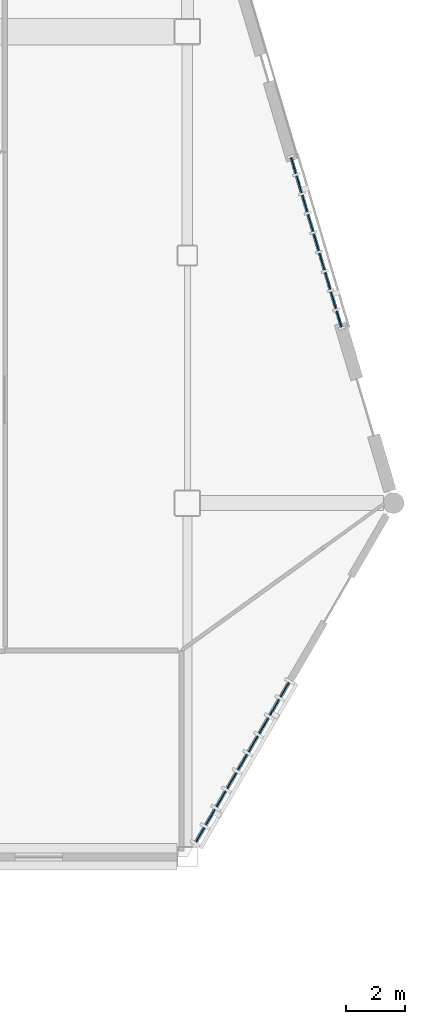
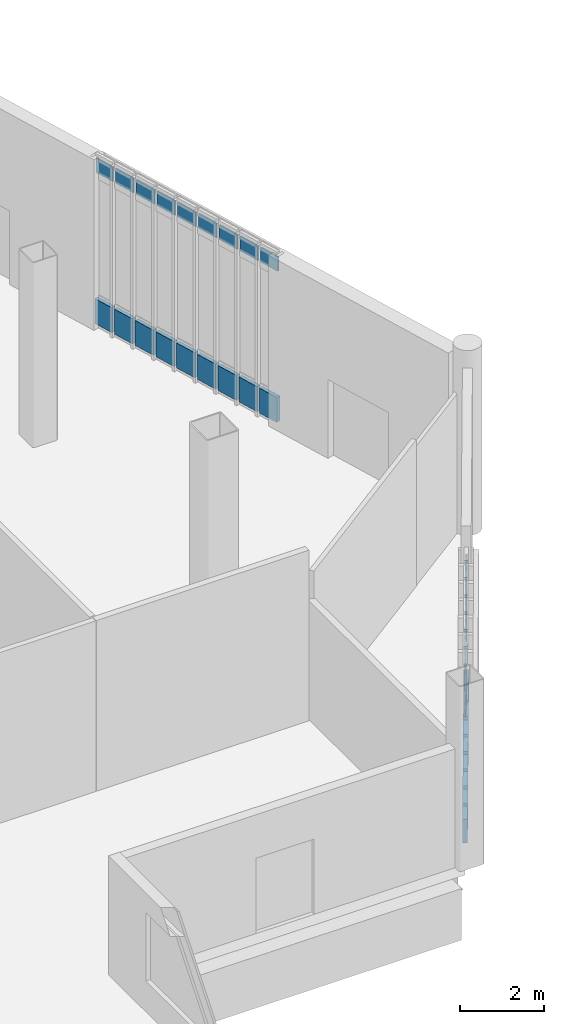
# One storey, part 83 of 111: 36 plates, 2 elements without a shape of their own.
"""IFC4 building model written with IfcOpenShell, lengths in metres."""

from ifc_helpers import new_model, si_unit, direction, frame, origin, origin_2d, place, context, subcontext, project, spatial, rectangle, extrude, material, layer, layer_set, type_object, element, aggregate, save


model = new_model("IFC4")

# Units and contexts
model_context = context("Model", 3, precision=1e-05, world=origin(), true_north=direction((0.0, 1.0)))
body_context = subcontext(model_context, "Body", "Model", "MODEL_VIEW")
ifc_project = project(units=[si_unit("LENGTHUNIT", "METRE"), si_unit("AREAUNIT", "SQUARE_METRE"), si_unit("VOLUMEUNIT", "CUBIC_METRE"), si_unit("PLANEANGLEUNIT", "RADIAN"), si_unit("MASSUNIT", "GRAM", prefix="KILO")], contexts=[model_context])

# Site, building, storey
site_placement = place(None, origin())
site = spatial("IfcSite", under=ifc_project, at=site_placement, CompositionType="ELEMENT")
building_placement = place(site_placement, origin())
building = spatial("IfcBuilding", under=site, at=building_placement, Name="Larkvane Passage Sports Hall", CompositionType="ELEMENT")
storey_placement = place(building_placement, origin())
storey = spatial("IfcBuildingStorey", under=building, at=storey_placement, Name="L00", CompositionType="ELEMENT", Elevation=0.0)

# Curtain wall, plates
ifc_material_1 = material(Name="Thermally broken aluminium and low-E glazing", Category="aluminium")
curtain_wall_type_1 = type_object("IfcCurtainWallType", Name="CW-STICK-FOYER", PredefinedType="USERDEFINED", material=ifc_material_1)
curtain_wall_1_placement = place(storey_placement, origin())
curtain_wall_1 = element("IfcCurtainWall", 1, at=curtain_wall_1_placement, inside=storey, type_object=curtain_wall_type_1, Name="Curtain wall CW5-L00-022", ObjectType="STICK CURTAIN WALL", PredefinedType="USERDEFINED")
ifc_material_2 = material(Name="Fire-stopped shadow-box spandrel panel")
ifc_layer_1 = layer(ifc_material_2, 0.10498046875)
ifc_layer_set_1 = layer_set([ifc_layer_1], Name="Fire-stopped shadow-box spandrel panel")
plate_type_1 = type_object("IfcPlateType", Name="CWP-SPD-105", PredefinedType="CURTAIN_PANEL", material=ifc_layer_set_1)
plate_1_placement = place(storey_placement, frame((149.202880859375, 87.052978515625, 0.080078125), z_axis=(0.0, 0.0, 1.0), x_axis=(0.284364947432, -0.958716108487, 0.0)))
plate_1 = element("IfcPlate", 2, at=plate_1_placement, type_object=plate_type_1, Name="CW-03 panel 1.1", PredefinedType="CURTAIN_PANEL", context=body_context, shape_type="SweptSolid", body=[
    extrude(rectangle(XDim=0.563720703125, YDim=0.10498046875, at=origin_2d()), origin(), (0.0, 0.0, 1.0), 0.72998046875),
])
plate_2_placement = place(storey_placement, frame((149.3916015625, 86.416748046875, 0.080078125), z_axis=(0.0, 0.0, 1.0), x_axis=(0.284364947432, -0.958716108487, 0.0)))
plate_2 = element("IfcPlate", 3, at=plate_2_placement, type_object=plate_type_1, Name="CW-03 panel 2.1", PredefinedType="CURTAIN_PANEL", context=body_context, shape_type="SweptSolid", body=[
    extrude(rectangle(XDim=0.603759765625, YDim=0.10498046875, at=origin_2d()), origin(), (0.0, 0.0, 1.0), 0.72998046875),
])
plate_3_placement = place(storey_placement, frame((149.586181640625, 85.76123046875, 0.080078125), z_axis=(0.0, 0.0, 1.0), x_axis=(0.284364947432, -0.958716108487, 0.0)))
plate_3 = element("IfcPlate", 4, at=plate_3_placement, type_object=plate_type_1, Name="CW-03 panel 3.1", PredefinedType="CURTAIN_PANEL", context=body_context, shape_type="SweptSolid", body=[
    extrude(rectangle(XDim=0.603759765625, YDim=0.10498046875, at=origin_2d()), origin(), (0.0, 0.0, 1.0), 0.72998046875),
])
plate_4_placement = place(storey_placement, frame((149.780517578125, 85.10546875, 0.080078125), z_axis=(0.0, 0.0, 1.0), x_axis=(0.284364947432, -0.958716108487, 0.0)))
plate_4 = element("IfcPlate", 5, at=plate_4_placement, type_object=plate_type_1, Name="CW-03 panel 4.1", PredefinedType="CURTAIN_PANEL", context=body_context, shape_type="SweptSolid", body=[
    extrude(rectangle(XDim=0.603759765625, YDim=0.10498046875, at=origin_2d()), origin(), (0.0, 0.0, 1.0), 0.72998046875),
])
plate_5_placement = place(storey_placement, frame((149.97509765625, 84.449951171875, 0.080078125), z_axis=(0.0, 0.0, 1.0), x_axis=(0.284364947432, -0.958716108487, 0.0)))
plate_5 = element("IfcPlate", 6, at=plate_5_placement, type_object=plate_type_1, Name="CW-03 panel 5.1", PredefinedType="CURTAIN_PANEL", context=body_context, shape_type="SweptSolid", body=[
    extrude(rectangle(XDim=0.603759765625, YDim=0.10498046875, at=origin_2d()), origin(), (0.0, 0.0, 1.0), 0.72998046875),
])
plate_6_placement = place(storey_placement, frame((150.16943359375, 83.79443359375, 0.080078125), z_axis=(0.0, 0.0, 1.0), x_axis=(0.284364947432, -0.958716108487, 0.0)))
plate_6 = element("IfcPlate", 7, at=plate_6_placement, type_object=plate_type_1, Name="CW-03 panel 6.1", PredefinedType="CURTAIN_PANEL", context=body_context, shape_type="SweptSolid", body=[
    extrude(rectangle(XDim=0.603759765625, YDim=0.10498046875, at=origin_2d()), origin(), (0.0, 0.0, 1.0), 0.72998046875),
])
plate_7_placement = place(storey_placement, frame((150.36376953125, 83.138916015625, 0.080078125), z_axis=(0.0, 0.0, 1.0), x_axis=(0.284364947432, -0.958716108487, 0.0)))
plate_7 = element("IfcPlate", 8, at=plate_7_placement, type_object=plate_type_1, Name="CW-03 panel 7.1", PredefinedType="CURTAIN_PANEL", context=body_context, shape_type="SweptSolid", body=[
    extrude(rectangle(XDim=0.603759765625, YDim=0.10498046875, at=origin_2d()), origin(), (0.0, 0.0, 1.0), 0.72998046875),
])
plate_8_placement = place(storey_placement, frame((150.558349609375, 82.4833984375, 0.080078125), z_axis=(0.0, 0.0, 1.0), x_axis=(0.284364947432, -0.958716108487, 0.0)))
plate_8 = element("IfcPlate", 9, at=plate_8_placement, type_object=plate_type_1, Name="CW-03 panel 8.1", PredefinedType="CURTAIN_PANEL", context=body_context, shape_type="SweptSolid", body=[
    extrude(rectangle(XDim=0.603759765625, YDim=0.10498046875, at=origin_2d()), origin(), (0.0, 0.0, 1.0), 0.72998046875),
])
plate_9_placement = place(storey_placement, frame((150.7470703125, 81.846923828125, 0.080078125), z_axis=(0.0, 0.0, 1.0), x_axis=(0.284364947432, -0.958716108487, 0.0)))
plate_9 = element("IfcPlate", 10, at=plate_9_placement, type_object=plate_type_1, Name="CW-03 panel 9.1", PredefinedType="CURTAIN_PANEL", context=body_context, shape_type="SweptSolid", body=[
    extrude(rectangle(XDim=0.563720703125, YDim=0.10498046875, at=origin_2d()), origin(), (0.0, 0.0, 1.0), 0.72998046875),
])

curtain_wall_type_2 = type_object("IfcCurtainWallType", Name="CW-CLINIC", PredefinedType="USERDEFINED", material=ifc_material_1)
curtain_wall_2_placement = place(storey_placement, origin())
curtain_wall_2 = element("IfcCurtainWall", 11, at=curtain_wall_2_placement, inside=storey, type_object=curtain_wall_type_2, Name="Curtain wall CW5-L00-023", ObjectType="UNITISED CURTAIN WALL", PredefinedType="USERDEFINED")
ifc_material_3 = material(Name="Deep insulated facade spandrel panel")
ifc_layer_2 = layer(ifc_material_3, 0.125)
ifc_layer_set_2 = layer_set([ifc_layer_2], Name="Deep insulated facade spandrel panel")
plate_type_2 = type_object("IfcPlateType", Name="CWP-SPD-125", PredefinedType="CURTAIN_PANEL", material=ifc_layer_set_2)
plate_10_placement = place(storey_placement, frame((148.905029296875, 69.265625, 0.10986328125), z_axis=(0.0, 0.0, 1.0), x_axis=(-0.503867182467, -0.86378114267, 0.0)))
plate_10 = element("IfcPlate", 12, at=plate_10_placement, type_object=plate_type_2, Name="CW-05 panel 1.1", PredefinedType="CURTAIN_PANEL", context=body_context, shape_type="SweptSolid", body=[
    extrude(rectangle(XDim=0.553955078125, YDim=0.125, at=origin_2d()), origin(), (0.0, 0.0, 1.0), 0.68505859375),
])
plate_11_placement = place(storey_placement, frame((148.556640625, 68.668212890625, 0.10986328125), z_axis=(0.0, 0.0, 1.0), x_axis=(-0.503867182467, -0.86378114267, 0.0)))
plate_11 = element("IfcPlate", 13, at=plate_11_placement, type_object=plate_type_2, Name="CW-05 panel 2.1", PredefinedType="CURTAIN_PANEL", context=body_context, shape_type="SweptSolid", body=[
    extrude(rectangle(XDim=0.609130859375, YDim=0.125, at=origin_2d()), origin(), (0.0, 0.0, 1.0), 0.68505859375),
])
plate_12_placement = place(storey_placement, frame((148.1943359375, 68.047119140625, 0.10986328125), z_axis=(0.0, 0.0, 1.0), x_axis=(-0.503867182467, -0.86378114267, 0.0)))
plate_12 = element("IfcPlate", 14, at=plate_12_placement, type_object=plate_type_2, Name="CW-05 panel 3.1", PredefinedType="CURTAIN_PANEL", context=body_context, shape_type="SweptSolid", body=[
    extrude(rectangle(XDim=0.609130859375, YDim=0.125, at=origin_2d()), origin(), (0.0, 0.0, 1.0), 0.68505859375),
])
plate_13_placement = place(storey_placement, frame((147.83203125, 67.426025390625, 0.10986328125), z_axis=(0.0, 0.0, 1.0), x_axis=(-0.503867182467, -0.86378114267, 0.0)))
plate_13 = element("IfcPlate", 15, at=plate_13_placement, type_object=plate_type_2, Name="CW-05 panel 4.1", PredefinedType="CURTAIN_PANEL", context=body_context, shape_type="SweptSolid", body=[
    extrude(rectangle(XDim=0.609130859375, YDim=0.125, at=origin_2d()), origin(), (0.0, 0.0, 1.0), 0.68505859375),
])
plate_14_placement = place(storey_placement, frame((147.469482421875, 66.804931640625, 0.10986328125), z_axis=(0.0, 0.0, 1.0), x_axis=(-0.503867182467, -0.86378114267, 0.0)))
plate_14 = element("IfcPlate", 16, at=plate_14_placement, type_object=plate_type_2, Name="CW-05 panel 5.1", PredefinedType="CURTAIN_PANEL", context=body_context, shape_type="SweptSolid", body=[
    extrude(rectangle(XDim=0.609130859375, YDim=0.125, at=origin_2d()), origin(), (0.0, 0.0, 1.0), 0.68505859375),
])
plate_15_placement = place(storey_placement, frame((147.107177734375, 66.183837890625, 0.10986328125), z_axis=(0.0, 0.0, 1.0), x_axis=(-0.503867182467, -0.86378114267, 0.0)))
plate_15 = element("IfcPlate", 17, at=plate_15_placement, type_object=plate_type_2, Name="CW-05 panel 6.1", PredefinedType="CURTAIN_PANEL", context=body_context, shape_type="SweptSolid", body=[
    extrude(rectangle(XDim=0.609130859375, YDim=0.125, at=origin_2d()), origin(), (0.0, 0.0, 1.0), 0.68505859375),
])
plate_16_placement = place(storey_placement, frame((146.744873046875, 65.562744140625, 0.10986328125), z_axis=(0.0, 0.0, 1.0), x_axis=(-0.503867182467, -0.86378114267, 0.0)))
plate_16 = element("IfcPlate", 18, at=plate_16_placement, type_object=plate_type_2, Name="CW-05 panel 7.1", PredefinedType="CURTAIN_PANEL", context=body_context, shape_type="SweptSolid", body=[
    extrude(rectangle(XDim=0.609130859375, YDim=0.125, at=origin_2d()), origin(), (0.0, 0.0, 1.0), 0.68505859375),
])
plate_17_placement = place(storey_placement, frame((146.382568359375, 64.941650390625, 0.10986328125), z_axis=(0.0, 0.0, 1.0), x_axis=(-0.503867182467, -0.86378114267, 0.0)))
plate_17 = element("IfcPlate", 19, at=plate_17_placement, type_object=plate_type_2, Name="CW-05 panel 8.1", PredefinedType="CURTAIN_PANEL", context=body_context, shape_type="SweptSolid", body=[
    extrude(rectangle(XDim=0.609130859375, YDim=0.125, at=origin_2d()), origin(), (0.0, 0.0, 1.0), 0.68505859375),
])
plate_18_placement = place(storey_placement, frame((146.0341796875, 64.34423828125, 0.10986328125), z_axis=(0.0, 0.0, 1.0), x_axis=(-0.503867182467, -0.86378114267, 0.0)))
plate_18 = element("IfcPlate", 20, at=plate_18_placement, type_object=plate_type_2, Name="CW-05 panel 9.1", PredefinedType="CURTAIN_PANEL", context=body_context, shape_type="SweptSolid", body=[
    extrude(rectangle(XDim=0.553955078125, YDim=0.125, at=origin_2d()), origin(), (0.0, 0.0, 1.0), 0.68505859375),
])

# Plate
ifc_material_4 = material(Name="High-impact court low-E glazing", Category="glass")
ifc_layer_3 = layer(ifc_material_4, 0.035888671875)
ifc_layer_set_3 = layer_set([ifc_layer_3], Name="High-impact court low-E glazing")
plate_type_3 = type_object("IfcPlateType", Name="CWP-VIS-36", PredefinedType="CURTAIN_PANEL", material=ifc_layer_set_3)
plate_19_placement = place(storey_placement, frame((149.202880859375, 87.052978515625, 4.47021484375), z_axis=(0.0, 0.0, 1.0), x_axis=(0.284364947432, -0.958716108487, 0.0)))
plate_19 = element("IfcPlate", 21, at=plate_19_placement, type_object=plate_type_3, Name="CW-03 panel 1.3", PredefinedType="CURTAIN_PANEL", context=body_context, shape_type="SweptSolid", body=[
    extrude(rectangle(XDim=0.563720703125, YDim=0.035888671875, at=origin_2d()), origin(), (0.0, 0.0, 1.0), 0.429931640625),
])

plate_20_placement = place(storey_placement, frame((149.3916015625, 86.416748046875, 4.47021484375), z_axis=(0.0, 0.0, 1.0), x_axis=(0.284364947432, -0.958716108487, 0.0)))
plate_20 = element("IfcPlate", 22, at=plate_20_placement, type_object=plate_type_3, Name="CW-03 panel 2.3", PredefinedType="CURTAIN_PANEL", context=body_context, shape_type="SweptSolid", body=[
    extrude(rectangle(XDim=0.603759765625, YDim=0.035888671875, at=origin_2d()), origin(), (0.0, 0.0, 1.0), 0.429931640625),
])

plate_21_placement = place(storey_placement, frame((149.586181640625, 85.76123046875, 4.47021484375), z_axis=(0.0, 0.0, 1.0), x_axis=(0.284364947432, -0.958716108487, 0.0)))
plate_21 = element("IfcPlate", 23, at=plate_21_placement, type_object=plate_type_3, Name="CW-03 panel 3.3", PredefinedType="CURTAIN_PANEL", context=body_context, shape_type="SweptSolid", body=[
    extrude(rectangle(XDim=0.603759765625, YDim=0.035888671875, at=origin_2d()), origin(), (0.0, 0.0, 1.0), 0.429931640625),
])

plate_22_placement = place(storey_placement, frame((149.780517578125, 85.10546875, 4.47021484375), z_axis=(0.0, 0.0, 1.0), x_axis=(0.284364947432, -0.958716108487, 0.0)))
plate_22 = element("IfcPlate", 24, at=plate_22_placement, type_object=plate_type_3, Name="CW-03 panel 4.3", PredefinedType="CURTAIN_PANEL", context=body_context, shape_type="SweptSolid", body=[
    extrude(rectangle(XDim=0.603759765625, YDim=0.035888671875, at=origin_2d()), origin(), (0.0, 0.0, 1.0), 0.429931640625),
])

plate_23_placement = place(storey_placement, frame((149.97509765625, 84.449951171875, 4.47021484375), z_axis=(0.0, 0.0, 1.0), x_axis=(0.284364947432, -0.958716108487, 0.0)))
plate_23 = element("IfcPlate", 25, at=plate_23_placement, type_object=plate_type_3, Name="CW-03 panel 5.3", PredefinedType="CURTAIN_PANEL", context=body_context, shape_type="SweptSolid", body=[
    extrude(rectangle(XDim=0.603759765625, YDim=0.035888671875, at=origin_2d()), origin(), (0.0, 0.0, 1.0), 0.429931640625),
])

plate_24_placement = place(storey_placement, frame((150.16943359375, 83.79443359375, 4.47021484375), z_axis=(0.0, 0.0, 1.0), x_axis=(0.284364947432, -0.958716108487, 0.0)))
plate_24 = element("IfcPlate", 26, at=plate_24_placement, type_object=plate_type_3, Name="CW-03 panel 6.3", PredefinedType="CURTAIN_PANEL", context=body_context, shape_type="SweptSolid", body=[
    extrude(rectangle(XDim=0.603759765625, YDim=0.035888671875, at=origin_2d()), origin(), (0.0, 0.0, 1.0), 0.429931640625),
])

plate_25_placement = place(storey_placement, frame((150.36376953125, 83.138916015625, 4.47021484375), z_axis=(0.0, 0.0, 1.0), x_axis=(0.284364947432, -0.958716108487, 0.0)))
plate_25 = element("IfcPlate", 27, at=plate_25_placement, type_object=plate_type_3, Name="CW-03 panel 7.3", PredefinedType="CURTAIN_PANEL", context=body_context, shape_type="SweptSolid", body=[
    extrude(rectangle(XDim=0.603759765625, YDim=0.035888671875, at=origin_2d()), origin(), (0.0, 0.0, 1.0), 0.429931640625),
])

plate_26_placement = place(storey_placement, frame((150.558349609375, 82.4833984375, 4.47021484375), z_axis=(0.0, 0.0, 1.0), x_axis=(0.284364947432, -0.958716108487, 0.0)))
plate_26 = element("IfcPlate", 28, at=plate_26_placement, type_object=plate_type_3, Name="CW-03 panel 8.3", PredefinedType="CURTAIN_PANEL", context=body_context, shape_type="SweptSolid", body=[
    extrude(rectangle(XDim=0.603759765625, YDim=0.035888671875, at=origin_2d()), origin(), (0.0, 0.0, 1.0), 0.429931640625),
])

plate_27_placement = place(storey_placement, frame((150.7470703125, 81.846923828125, 4.47021484375), z_axis=(0.0, 0.0, 1.0), x_axis=(0.284364947432, -0.958716108487, 0.0)))
plate_27 = element("IfcPlate", 29, at=plate_27_placement, type_object=plate_type_3, Name="CW-03 panel 9.3", PredefinedType="CURTAIN_PANEL", context=body_context, shape_type="SweptSolid", body=[
    extrude(rectangle(XDim=0.563720703125, YDim=0.035888671875, at=origin_2d()), origin(), (0.0, 0.0, 1.0), 0.429931640625),
])

aggregate(curtain_wall_1, [plate_1, plate_19, plate_2, plate_20, plate_3, plate_21, plate_4, plate_22, plate_5, plate_23, plate_6, plate_24, plate_7, plate_25, plate_8, plate_26, plate_9, plate_27])

ifc_material_5 = material(Name="Triple-laminated typhoon glazing", Category="glass")
ifc_layer_4 = layer(ifc_material_5, 0.0419921875)
ifc_layer_set_4 = layer_set([ifc_layer_4], Name="Triple-laminated typhoon glazing")
plate_type_4 = type_object("IfcPlateType", Name="CWP-VIS-42", PredefinedType="CURTAIN_PANEL", material=ifc_layer_set_4)
plate_28_placement = place(storey_placement, frame((148.905029296875, 69.265625, 3.78076171875), z_axis=(0.0, 0.0, 1.0), x_axis=(-0.503867182467, -0.86378114267, 0.0)))
plate_28 = element("IfcPlate", 30, at=plate_28_placement, type_object=plate_type_4, Name="CW-05 panel 1.3", PredefinedType="CURTAIN_PANEL", context=body_context, shape_type="SweptSolid", body=[
    extrude(rectangle(XDim=0.553955078125, YDim=0.0419921875, at=origin_2d()), origin(), (0.0, 0.0, 1.0), 0.385009765625),
])

plate_29_placement = place(storey_placement, frame((148.556640625, 68.668212890625, 3.78076171875), z_axis=(0.0, 0.0, 1.0), x_axis=(-0.503867182467, -0.86378114267, 0.0)))
plate_29 = element("IfcPlate", 31, at=plate_29_placement, type_object=plate_type_4, Name="CW-05 panel 2.3", PredefinedType="CURTAIN_PANEL", context=body_context, shape_type="SweptSolid", body=[
    extrude(rectangle(XDim=0.609130859375, YDim=0.0419921875, at=origin_2d()), origin(), (0.0, 0.0, 1.0), 0.385009765625),
])

plate_30_placement = place(storey_placement, frame((148.1943359375, 68.047119140625, 3.78076171875), z_axis=(0.0, 0.0, 1.0), x_axis=(-0.503867182467, -0.86378114267, 0.0)))
plate_30 = element("IfcPlate", 32, at=plate_30_placement, type_object=plate_type_4, Name="CW-05 panel 3.3", PredefinedType="CURTAIN_PANEL", context=body_context, shape_type="SweptSolid", body=[
    extrude(rectangle(XDim=0.609130859375, YDim=0.0419921875, at=origin_2d()), origin(), (0.0, 0.0, 1.0), 0.385009765625),
])

plate_31_placement = place(storey_placement, frame((147.83203125, 67.426025390625, 3.78076171875), z_axis=(0.0, 0.0, 1.0), x_axis=(-0.503867182467, -0.86378114267, 0.0)))
plate_31 = element("IfcPlate", 33, at=plate_31_placement, type_object=plate_type_4, Name="CW-05 panel 4.3", PredefinedType="CURTAIN_PANEL", context=body_context, shape_type="SweptSolid", body=[
    extrude(rectangle(XDim=0.609130859375, YDim=0.0419921875, at=origin_2d()), origin(), (0.0, 0.0, 1.0), 0.385009765625),
])

plate_32_placement = place(storey_placement, frame((147.469482421875, 66.804931640625, 3.78076171875), z_axis=(0.0, 0.0, 1.0), x_axis=(-0.503867182467, -0.86378114267, 0.0)))
plate_32 = element("IfcPlate", 34, at=plate_32_placement, type_object=plate_type_4, Name="CW-05 panel 5.3", PredefinedType="CURTAIN_PANEL", context=body_context, shape_type="SweptSolid", body=[
    extrude(rectangle(XDim=0.609130859375, YDim=0.0419921875, at=origin_2d()), origin(), (0.0, 0.0, 1.0), 0.385009765625),
])

plate_33_placement = place(storey_placement, frame((147.107177734375, 66.183837890625, 3.78076171875), z_axis=(0.0, 0.0, 1.0), x_axis=(-0.503867182467, -0.86378114267, 0.0)))
plate_33 = element("IfcPlate", 35, at=plate_33_placement, type_object=plate_type_4, Name="CW-05 panel 6.3", PredefinedType="CURTAIN_PANEL", context=body_context, shape_type="SweptSolid", body=[
    extrude(rectangle(XDim=0.609130859375, YDim=0.0419921875, at=origin_2d()), origin(), (0.0, 0.0, 1.0), 0.385009765625),
])

plate_34_placement = place(storey_placement, frame((146.744873046875, 65.562744140625, 3.78076171875), z_axis=(0.0, 0.0, 1.0), x_axis=(-0.503867182467, -0.86378114267, 0.0)))
plate_34 = element("IfcPlate", 36, at=plate_34_placement, type_object=plate_type_4, Name="CW-05 panel 7.3", PredefinedType="CURTAIN_PANEL", context=body_context, shape_type="SweptSolid", body=[
    extrude(rectangle(XDim=0.609130859375, YDim=0.0419921875, at=origin_2d()), origin(), (0.0, 0.0, 1.0), 0.385009765625),
])

plate_35_placement = place(storey_placement, frame((146.382568359375, 64.941650390625, 3.78076171875), z_axis=(0.0, 0.0, 1.0), x_axis=(-0.503867182467, -0.86378114267, 0.0)))
plate_35 = element("IfcPlate", 37, at=plate_35_placement, type_object=plate_type_4, Name="CW-05 panel 8.3", PredefinedType="CURTAIN_PANEL", context=body_context, shape_type="SweptSolid", body=[
    extrude(rectangle(XDim=0.609130859375, YDim=0.0419921875, at=origin_2d()), origin(), (0.0, 0.0, 1.0), 0.385009765625),
])

plate_36_placement = place(storey_placement, frame((146.0341796875, 64.34423828125, 3.78076171875), z_axis=(0.0, 0.0, 1.0), x_axis=(-0.503867182467, -0.86378114267, 0.0)))
plate_36 = element("IfcPlate", 38, at=plate_36_placement, type_object=plate_type_4, Name="CW-05 panel 9.3", PredefinedType="CURTAIN_PANEL", context=body_context, shape_type="SweptSolid", body=[
    extrude(rectangle(XDim=0.553955078125, YDim=0.0419921875, at=origin_2d()), origin(), (0.0, 0.0, 1.0), 0.385009765625),
])

aggregate(curtain_wall_2, [plate_10, plate_28, plate_11, plate_29, plate_12, plate_30, plate_13, plate_31, plate_14, plate_32, plate_15, plate_33, plate_16, plate_34, plate_17, plate_35, plate_18, plate_36])

save(model, "model.ifc")
